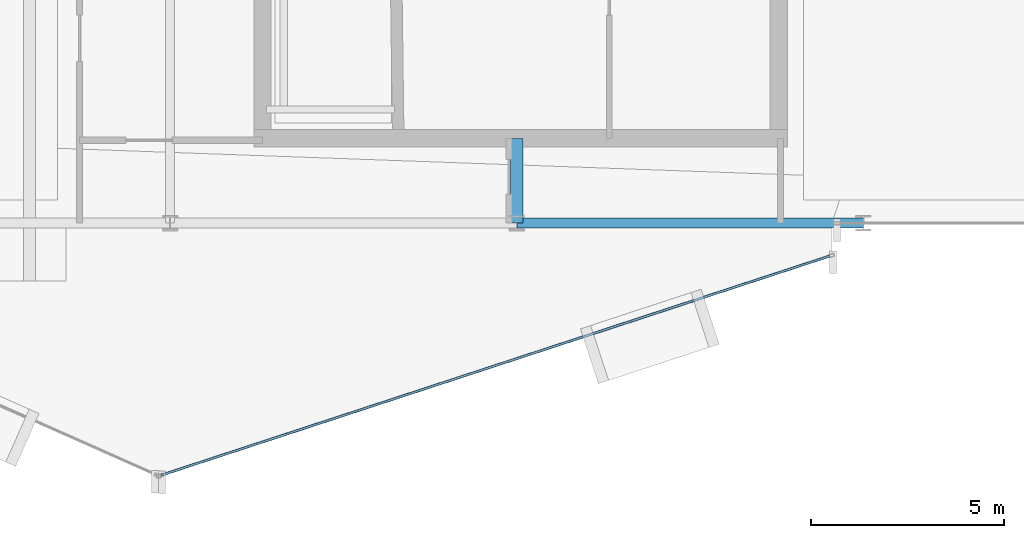
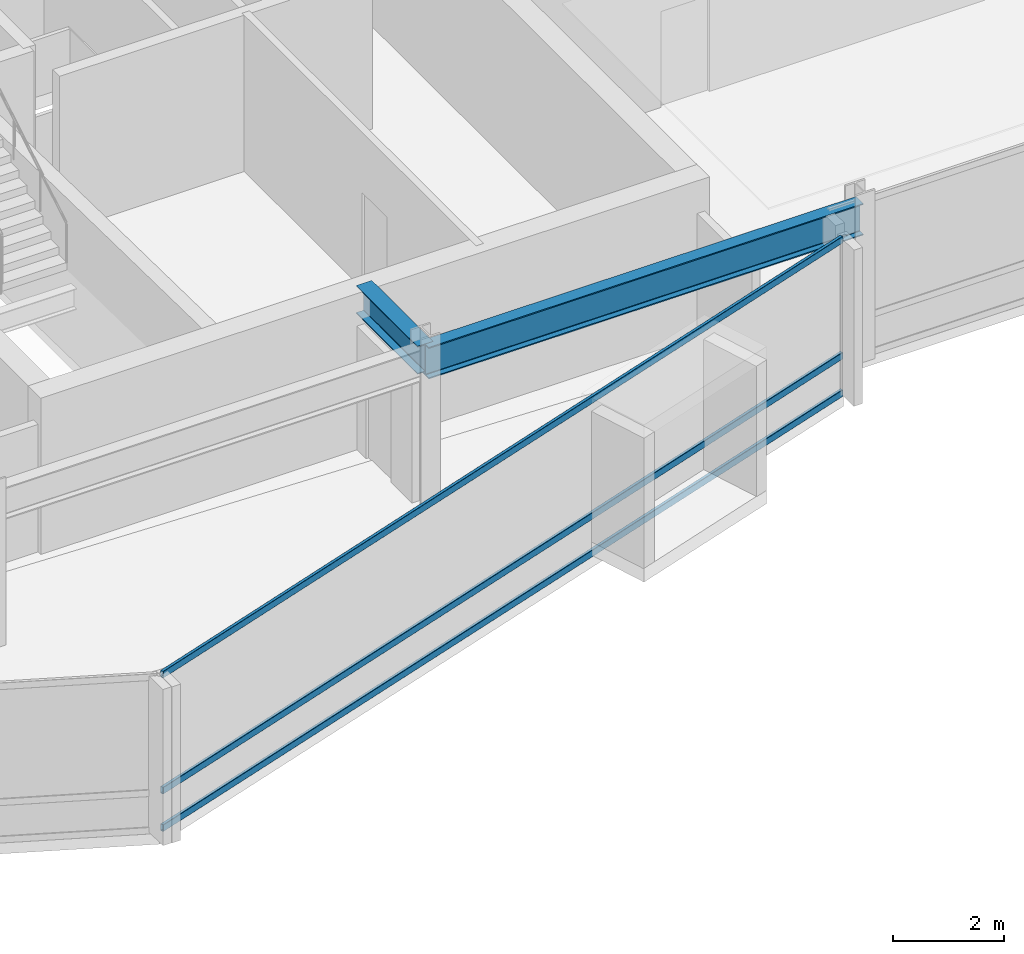
# One storey, part 9 of 27: 3 members, 2 beams, 1 element without a shape of its own.
"""IFC4 building model written with IfcOpenShell, lengths in metres."""

from ifc_helpers import new_model, si_unit, direction, frame, origin, origin_2d, place, context, subcontext, project, spatial, hollow_rectangle, i_section, extrude, material, layer, layer_set, material_profile, profile_set, type_object, element, aggregate, save


model = new_model("IFC4")

# Units and contexts
model_context = context("Model", 3, precision=1e-05, world=origin(), true_north=direction((0.0, 1.0)))
body_context = subcontext(model_context, "Body", "Model", "MODEL_VIEW")
ifc_project = project(units=[si_unit("LENGTHUNIT", "METRE"), si_unit("AREAUNIT", "SQUARE_METRE"), si_unit("VOLUMEUNIT", "CUBIC_METRE"), si_unit("PLANEANGLEUNIT", "RADIAN"), si_unit("MASSUNIT", "GRAM", prefix="KILO")], contexts=[model_context])

# Site, building, storey
site_placement = place(None, origin())
site = spatial("IfcSite", under=ifc_project, at=site_placement, CompositionType="ELEMENT")
building_placement = place(site_placement, origin())
building = spatial("IfcBuilding", under=site, at=building_placement, Name="Solvaryn Broadcast Tower", CompositionType="ELEMENT")
storey_placement = place(building_placement, frame((0.0, 0.0, 228.39990234375)))
storey = spatial("IfcBuildingStorey", under=building, at=storey_placement, Name="L57", CompositionType="ELEMENT", Elevation=228.39990234375)

# Beams
ifc_material_1 = material(Name="Steel ASTM A992 Grade 50", Category="steel")
ifc_material_profile_1 = material_profile(ifc_material_1, i_section(OverallWidth=0.323974609375, OverallDepth=0.611083984375, WebThickness=0.0126953125, FlangeThickness=0.01904296875, FilletRadius=0.014892578125, at=origin_2d()))
ifc_profile_set_1 = profile_set([ifc_material_profile_1], Name="Steel ASTM A992 Grade 50")
beam_type_1 = type_object("IfcBeamType", Name="BM-B1-W24X104", PredefinedType="BEAM", material=ifc_profile_set_1)
beam_1_placement = place(storey_placement, frame((36.0, 9.0, 3.114501953125), z_axis=(0.0, 1.0, 0.0), x_axis=(-1.0, 0.0, 0.0)))
element("IfcBeam", 1, at=beam_1_placement, inside=storey, type_object=beam_type_1, Name="L57 Core Tie Beam CTE1", PredefinedType="BEAM", context=body_context, shape_type="SweptSolid", body=[
    extrude(i_section(OverallWidth=0.323974609375, OverallDepth=0.611083984375, WebThickness=0.0126953125, FlangeThickness=0.01904296875, FilletRadius=0.014892578125, at=origin_2d()), origin(), (0.0, 0.0, 1.0), 2.199951171875),
])
ifc_material_2 = material(Name="Steel ASTM A992 Grade 50", Category="steel")
ifc_material_profile_2 = material_profile(ifc_material_2, i_section(OverallWidth=0.256103515625, OverallDepth=0.693115234375, WebThickness=0.014404296875, FlangeThickness=0.023681640625, FilletRadius=0.01611328125, at=origin_2d()))
ifc_profile_set_2 = profile_set([ifc_material_profile_2], Name="Steel ASTM A992 Grade 50")
beam_type_2 = type_object("IfcBeamType", Name="BM-SP3-W27X114", PredefinedType="USERDEFINED", material=ifc_profile_set_2)
beam_2_placement = place(storey_placement, frame((36.0, 9.0, 3.073486328125), z_axis=(1.0, 0.0, 0.0), x_axis=(0.0, 1.0, 0.0)))
element("IfcBeam", 2, at=beam_2_placement, inside=storey, type_object=beam_type_2, Name="L57 Spandrel Beam X (36-45 @ Y=9)", ObjectType="SPANDREL", PredefinedType="USERDEFINED", context=body_context, shape_type="SweptSolid", body=[
    extrude(i_section(OverallWidth=0.256103515625, OverallDepth=0.693115234375, WebThickness=0.014404296875, FlangeThickness=0.023681640625, FilletRadius=0.01611328125, at=origin_2d()), origin(), (0.0, 0.0, 1.0), 9.0),
])

# Curtain wall, members
ifc_material_3 = material(Name="Aluminium and Terracotta Unitised Curtain Wall", Category="masonry")
ifc_layer = layer(ifc_material_3, 0.199951171875)
ifc_layer_set = layer_set([ifc_layer], Name="CW-SYS2-LOWMID")
curtain_wall_type = type_object("IfcCurtainWallType", Name="CW-SYS2-LOWMID", PredefinedType="NOTDEFINED", material=ifc_layer_set)
curtain_wall_placement = place(storey_placement, origin())
curtain_wall = element("IfcCurtainWall", 3, at=curtain_wall_placement, inside=storey, type_object=curtain_wall_type, Name="L57 Curtain Wall DR4", PredefinedType="NOTDEFINED")
ifc_material_4 = material(Name="Anodised Aluminium 6063-T6", Category="aluminium")
ifc_material_profile_3 = material_profile(ifc_material_4, hollow_rectangle(XDim=0.06494140625, YDim=0.14990234375, WallThickness=0.00390625, InnerFilletRadius=0.00390625, OuterFilletRadius=0.008056640625, at=origin_2d()))
ifc_profile_set_3 = profile_set([ifc_material_profile_3], Name="Anodised Aluminium 6063-T6")
member_type = type_object("IfcMemberType", Name="CW-TRN-150", PredefinedType="USERDEFINED", material=ifc_profile_set_3)
member_1_placement = place(storey_placement, frame((26.762939453125, 2.45166015625, 0.030029296875), z_axis=(0.950227141586, 0.311557987209, 0.0), x_axis=(-0.311557987209, 0.950227141586, 0.0)))
member_1 = element("IfcMember", 4, at=member_1_placement, type_object=member_type, Name="CWS2 transom 1.1", ObjectType="TRANSOM", PredefinedType="USERDEFINED", context=body_context, shape_type="SweptSolid", body=[
    extrude(hollow_rectangle(XDim=0.06494140625, YDim=0.14990234375, WallThickness=0.00390625, InnerFilletRadius=0.00390625, OuterFilletRadius=0.008056640625, at=origin_2d()), origin(), (0.0, 0.0, 1.0), 18.271484375),
])
member_2_placement = place(storey_placement, frame((26.762939453125, 2.45166015625, 0.85009765625), z_axis=(0.950227141586, 0.311557987209, 0.0), x_axis=(-0.311557987209, 0.950227141586, 0.0)))
member_2 = element("IfcMember", 5, at=member_2_placement, type_object=member_type, Name="CWS2 transom 1.2", ObjectType="TRANSOM", PredefinedType="USERDEFINED", context=body_context, shape_type="SweptSolid", body=[
    extrude(hollow_rectangle(XDim=0.06494140625, YDim=0.14990234375, WallThickness=0.00390625, InnerFilletRadius=0.00390625, OuterFilletRadius=0.008056640625, at=origin_2d()), origin(), (0.0, 0.0, 1.0), 18.271484375),
])
member_3_placement = place(storey_placement, frame((26.762939453125, 2.45166015625, 3.39013671875), z_axis=(0.950227141586, 0.311557987209, 0.0), x_axis=(-0.311557987209, 0.950227141586, 0.0)))
member_3 = element("IfcMember", 6, at=member_3_placement, type_object=member_type, Name="CWS2 transom 1.3", ObjectType="TRANSOM", PredefinedType="USERDEFINED", context=body_context, shape_type="SweptSolid", body=[
    extrude(hollow_rectangle(XDim=0.06494140625, YDim=0.14990234375, WallThickness=0.00390625, InnerFilletRadius=0.00390625, OuterFilletRadius=0.008056640625, at=origin_2d()), origin(), (0.0, 0.0, 1.0), 18.271484375),
])
aggregate(curtain_wall, [member_1, member_2, member_3])

save(model, "model.ifc")
